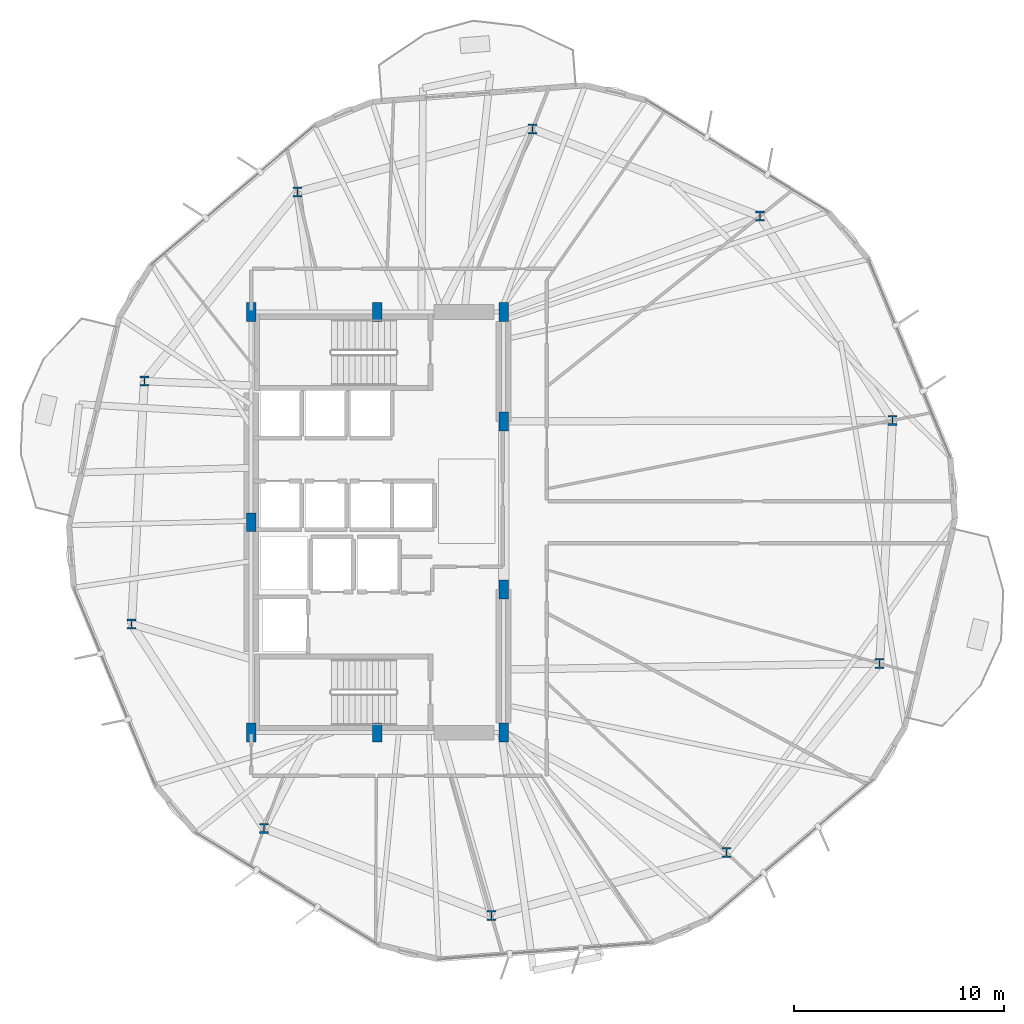
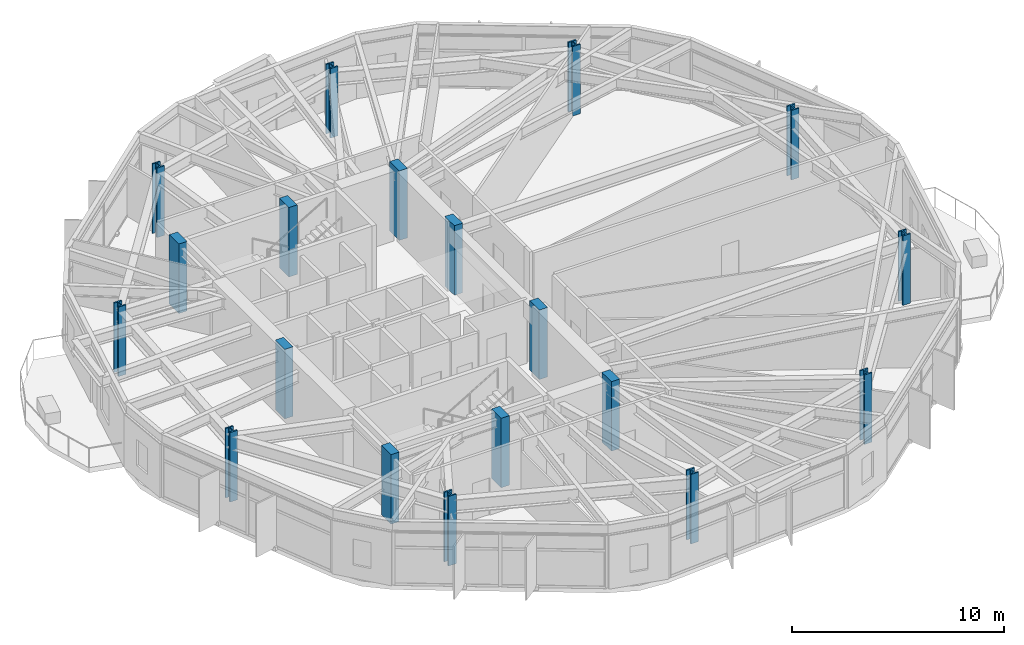
# One storey, part 1 of 22: 19 columns.
"""IFC4 building model written with IfcOpenShell, lengths in metres."""

from ifc_helpers import new_model, si_unit, direction, frame, origin, origin_2d, place, context, subcontext, project, spatial, rectangle, i_section, extrude, material, material_profile, profile_set, type_object, element, save


model = new_model("IFC4")

# Units and contexts
model_context = context("Model", 3, precision=1e-05, world=origin(), true_north=direction((0.0, 1.0)))
body_context = subcontext(model_context, "Body", "Model", "MODEL_VIEW")
ifc_project = project(units=[si_unit("LENGTHUNIT", "METRE"), si_unit("AREAUNIT", "SQUARE_METRE"), si_unit("VOLUMEUNIT", "CUBIC_METRE"), si_unit("PLANEANGLEUNIT", "RADIAN"), si_unit("MASSUNIT", "GRAM", prefix="KILO")], contexts=[model_context])

# Site, building, storey
site_placement = place(None, origin())
site = spatial("IfcSite", under=ifc_project, at=site_placement, CompositionType="ELEMENT")
building_placement = place(site_placement, origin())
building = spatial("IfcBuilding", under=site, at=building_placement, Name="Soratama Intermodal Tower", CompositionType="ELEMENT")
storey_placement = place(building_placement, frame((0.0, 0.0, 50.60009765625)))
storey = spatial("IfcBuildingStorey", under=building, at=storey_placement, Name="L11", CompositionType="ELEMENT", Elevation=50.60009765625)

# Columns
ifc_material_1 = material(Name="Structural steel ASTM A992 Grade 50", Category="steel")
ifc_material_profile_1 = material_profile(ifc_material_1, i_section(OverallWidth=0.424072265625, OverallDepth=0.47412109375, WebThickness=0.047607421875, FlangeThickness=0.0771484375, FilletRadius=0.0380859375, at=origin_2d()), Name="W14X426")
ifc_profile_set_1 = profile_set([ifc_material_profile_1], Name="Structural steel ASTM A992 Grade 50")
column_type_1 = type_object("IfcColumnType", Name="COL-ZA-W14X426", PredefinedType="COLUMN", material=ifc_profile_set_1)
for number, where, z_axis, x_axis, name in (
    (1, (63.08203125, 29.84521484375, 0.0), (0.0, 0.0, 1.0), (1.0, 0.0, 0.0), "L11 Tower Ring Column R01"),
    (2, (56.781005859375, 39.548095703125, 0.0), (0.0, 0.0, 1.0), (1.0, 0.0, 0.0), "L11 Tower Ring Column R02"),
    (3, (45.979736328125, 43.6943359375, 0.0), (0.0, 0.0, 1.0), (1.0, 0.0, 0.0), "L11 Tower Ring Column R03"),
    (4, (34.804443359375, 40.699951171875, 0.0), (0.0, 0.0, 1.0), (1.0, 0.0, 0.0), "L11 Tower Ring Column R04"),
    (5, (27.5234375, 31.70849609375, 0.0), (0.0, 0.0, 1.0), (1.0, 0.0, 0.0), "L11 Tower Ring Column R05"),
    (6, (26.91796875, 20.15478515625, 0.0), (0.0, 0.0, 1.0), (1.0, 0.0, 0.0), "L11 Tower Ring Column R06"),
    (7, (33.218994140625, 10.451904296875, 0.0), (0.0, 0.0, 1.0), (1.0, 0.0, 0.0), "L11 Tower Ring Column R07"),
    (8, (44.020263671875, 6.3056640625, 0.0), (0.0, 0.0, 1.0), (1.0, 0.0, 0.0), "L11 Tower Ring Column R08"),
    (9, (55.195556640625, 9.300048828125, 0.0), (0.0, 0.0, 1.0), (1.0, 0.0, 0.0), "L11 Tower Ring Column R09"),
    (10, (62.4765625, 18.29150390625, 0.0), (0.0, 0.0, 1.0), (1.0, 0.0, 0.0), "L11 Tower Ring Column R10"),
):
    element("IfcColumn", number, at=place(storey_placement, frame(where, z_axis=z_axis, x_axis=x_axis)), inside=storey, type_object=column_type_1, Name=name, PredefinedType="COLUMN", context=body_context, shape_type="SweptSolid", body=[
        extrude(i_section(OverallWidth=0.424072265625, OverallDepth=0.47412109375, WebThickness=0.047607421875, FlangeThickness=0.0771484375, FilletRadius=0.0380859375, at=origin_2d()), origin(), (0.0, 0.0, 1.0), 4.0),
    ])
ifc_material_2 = material(Name="Concrete f'c 56 MPa", Category="concrete")
ifc_material_profile_2 = material_profile(ifc_material_2, rectangle(XDim=0.449951171875, YDim=0.89990234375, at=origin_2d()), Name="RC450X900")
ifc_profile_set_2 = profile_set([ifc_material_profile_2], Name="Concrete f'c 56 MPa")
column_type_2 = type_object("IfcColumnType", Name="PIL-CORE-450X900", PredefinedType="PILASTER", material=ifc_profile_set_2)
for number, where, z_axis, x_axis, name in (
    (11, (32.60009765625, 15.0, 0.0), (0.0, 0.0, 1.0), (1.0, 0.0, 0.0), "L11 Core Pilaster 1"),
    (12, (32.60009765625, 25.0, 0.0), (0.0, 0.0, 1.0), (1.0, 0.0, 0.0), "L11 Core Pilaster 2"),
    (13, (32.60009765625, 35.0, 0.0), (0.0, 0.0, 1.0), (1.0, 0.0, 0.0), "L11 Core Pilaster 3"),
    (14, (38.60009765625, 15.0, 0.0), (0.0, 0.0, 1.0), (1.0, 0.0, 0.0), "L11 Core Pilaster 4"),
    (15, (38.60009765625, 35.0, 0.0), (0.0, 0.0, 1.0), (1.0, 0.0, 0.0), "L11 Core Pilaster 5"),
    (16, (44.60009765625, 15.0, 0.0), (0.0, 0.0, 1.0), (1.0, 0.0, 0.0), "L11 Core Pilaster 6"),
    (17, (44.60009765625, 21.800048828125, 0.0), (0.0, 0.0, 1.0), (1.0, 0.0, 0.0), "L11 Core Pilaster 7"),
    (18, (44.60009765625, 29.800048828125, 0.0), (0.0, 0.0, 1.0), (1.0, 0.0, 0.0), "L11 Core Pilaster 8"),
    (19, (44.60009765625, 35.0, 0.0), (0.0, 0.0, 1.0), (1.0, 0.0, 0.0), "L11 Core Pilaster 9"),
):
    element("IfcColumn", number, at=place(storey_placement, frame(where, z_axis=z_axis, x_axis=x_axis)), inside=storey, type_object=column_type_2, Name=name, PredefinedType="PILASTER", context=body_context, shape_type="SweptSolid", body=[
        extrude(rectangle(XDim=0.449951171875, YDim=0.89990234375, at=origin_2d()), origin(), (0.0, 0.0, 1.0), 4.0),
    ])

save(model, "model.ifc")
